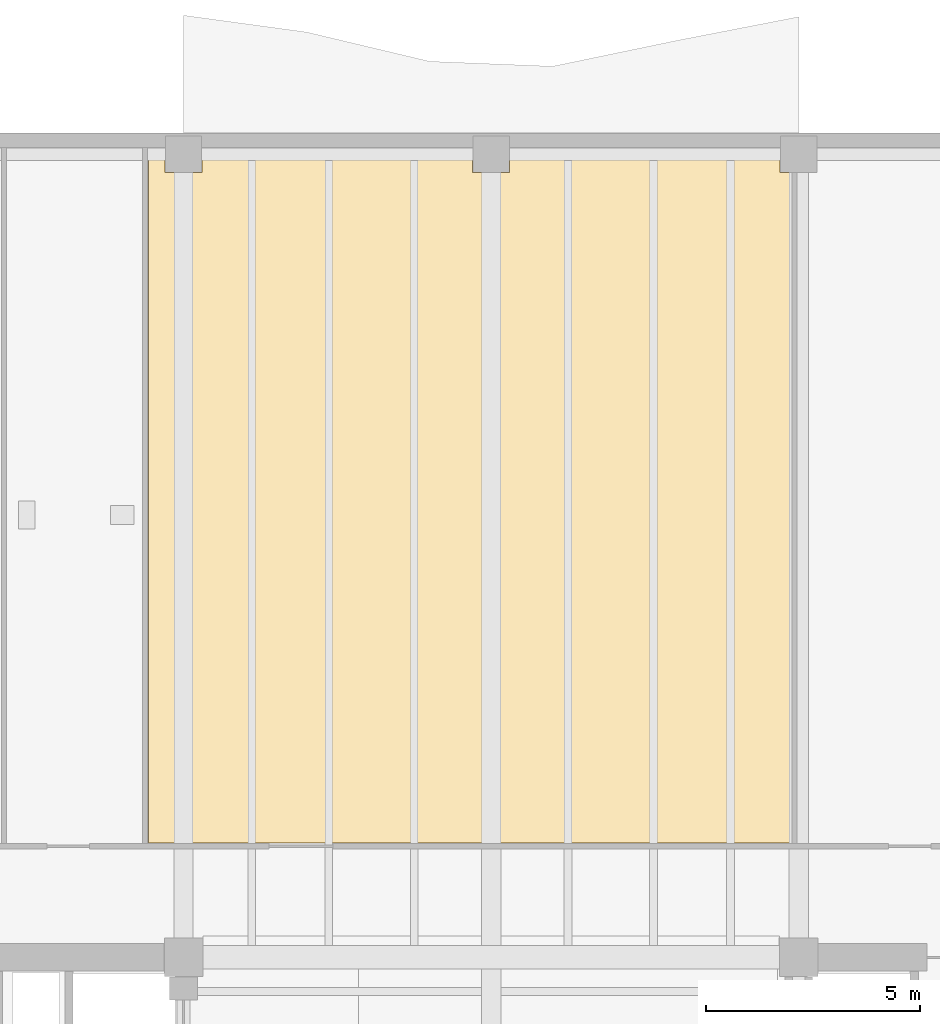
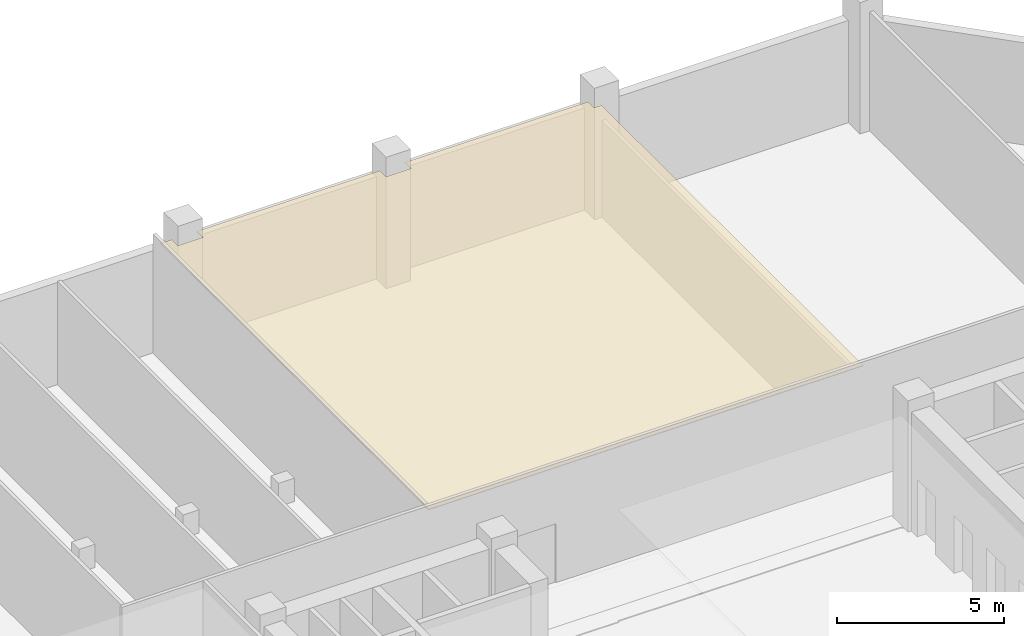
# One storey, part 14 of 15: 1 covering.
"""IFC4 building model written with IfcOpenShell, lengths in metres."""

from ifc_helpers import new_model, si_unit, direction, frame, origin, place, context, subcontext, project, spatial, polyline, outline, extrude, material, layer, layer_set, type_object, element, save


model = new_model("IFC4")

# Units and contexts
model_context = context("Model", 3, precision=1e-05, world=origin(), true_north=direction((0.0, 1.0)))
body_context = subcontext(model_context, "Body", "Model", "MODEL_VIEW")
ifc_project = project(units=[si_unit("LENGTHUNIT", "METRE"), si_unit("AREAUNIT", "SQUARE_METRE"), si_unit("VOLUMEUNIT", "CUBIC_METRE"), si_unit("PLANEANGLEUNIT", "RADIAN"), si_unit("MASSUNIT", "GRAM", prefix="KILO")], contexts=[model_context])

# Site, building, storey
site_placement = place(None, origin())
site = spatial("IfcSite", under=ifc_project, at=site_placement, CompositionType="ELEMENT")
building_placement = place(site_placement, origin())
building = spatial("IfcBuilding", under=site, at=building_placement, Name="Kranthara Brick Stack", CompositionType="ELEMENT")
storey_placement = place(building_placement, frame((0.0, 0.0, 202.699951171875)))
storey = spatial("IfcBuildingStorey", under=building, at=storey_placement, Name="L52", CompositionType="ELEMENT", Elevation=202.699951171875)

# Covering
ifc_material = material(Name="Perforated mineral-fibre acoustic ceiling tile", Category="other")
ifc_layer = layer(ifc_material, 0.02490234375)
ifc_layer_set = layer_set([ifc_layer], Name="Perforated mineral-fibre acoustic ceiling tile")
covering_type = type_object("IfcCoveringType", Name="COV-CEIL-ACOUSTIC", PredefinedType="CEILING", material=ifc_layer_set)
covering_placement = place(storey_placement, frame((0.0, 0.0, 4.080078125)))
element("IfcCovering", 1, at=covering_placement, inside=storey, type_object=covering_type, Name="L52 L52 Sky Fitness Studio and Wellness Club Acoustic Ceiling", PredefinedType="CEILING", context=body_context, shape_type="SweptSolid", body=[
    extrude(outline(polyline([(19.97998046875, 36.280029296875), (19.97998046875, 52.330078125), (20.364990234375, 52.330078125), (20.364990234375, 51.965087890625), (21.235107421875, 51.965087890625), (21.235107421875, 52.330078125), (27.56494140625, 52.330078125), (27.56494140625, 51.965087890625), (28.43505859375, 51.965087890625), (28.43505859375, 52.330078125), (34.764892578125, 52.330078125), (34.764892578125, 51.965087890625), (35.02001953125, 51.965087890625), (35.02001953125, 36.280029296875), (19.97998046875, 36.280029296875)])), origin(), (0.0, 0.0, 1.0), 0.02490234375),
])

save(model, "model.ifc")
